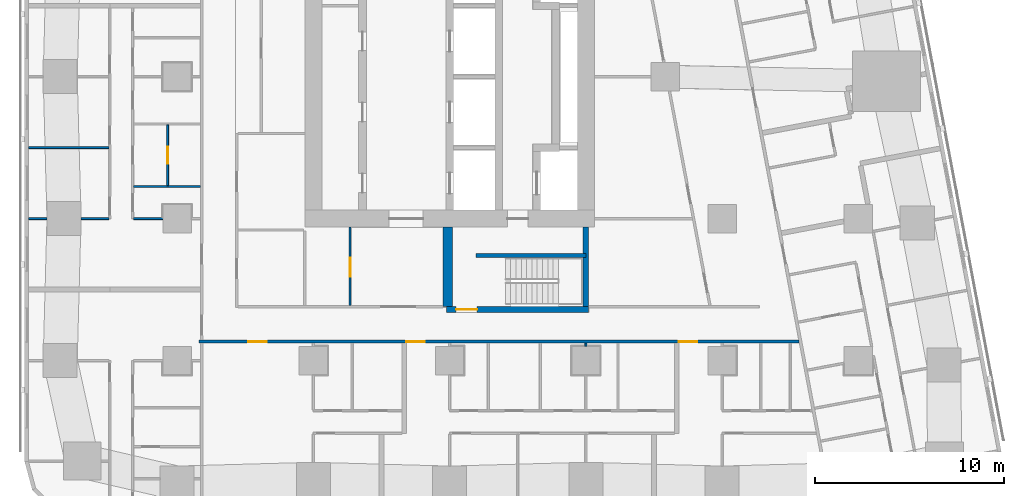
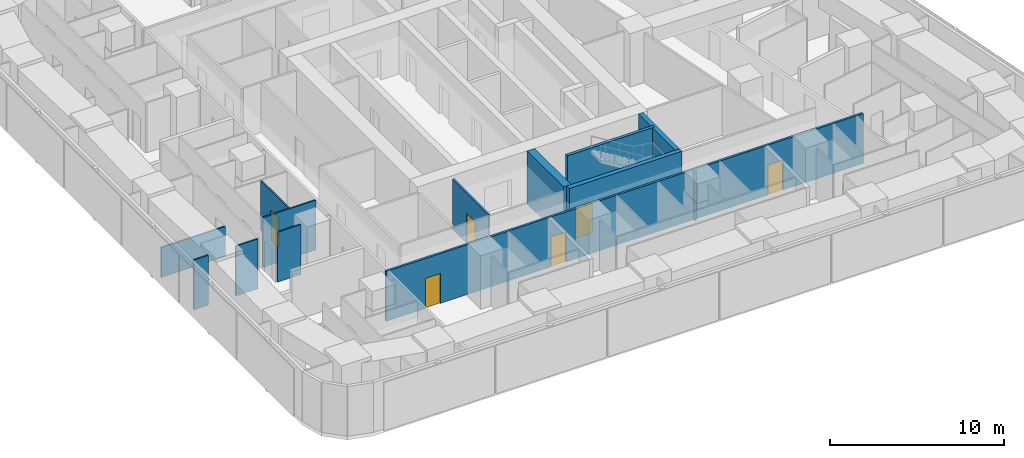
# One storey, part 4 of 15: 13 walls, 6 doors, 6 openings.
"""IFC4 building model written with IfcOpenShell, lengths in metres."""

from ifc_helpers import new_model, si_unit, direction, frame, frame_2d, origin, place, context, subcontext, project, spatial, rectangle, extrude, material, layer, layer_set, type_object, element, fill, save


model = new_model("IFC4")

# Units and contexts
model_context = context("Model", 3, precision=1e-05, world=origin(), true_north=direction((0.0, 1.0)))
body_context = subcontext(model_context, "Body", "Model", "MODEL_VIEW")
ifc_project = project(units=[si_unit("LENGTHUNIT", "METRE"), si_unit("AREAUNIT", "SQUARE_METRE"), si_unit("VOLUMEUNIT", "CUBIC_METRE"), si_unit("PLANEANGLEUNIT", "RADIAN"), si_unit("MASSUNIT", "GRAM", prefix="KILO")], contexts=[model_context])

# Site, building, storey
site_placement = place(None, origin())
site = spatial("IfcSite", under=ifc_project, at=site_placement, CompositionType="ELEMENT")
building_placement = place(site_placement, origin())
building = spatial("IfcBuilding", under=site, at=building_placement, Name="Sheger Commons Tower", CompositionType="ELEMENT")
storey_placement = place(building_placement, frame((0.0, 0.0, 158.300048828125)))
storey = spatial("IfcBuildingStorey", under=building, at=storey_placement, Name="L40", CompositionType="ELEMENT", Elevation=158.300048828125)

# Wall, openings, doors
ifc_material_1 = material(Name="Hollow concrete block masonry, skimmed both sides", Category="masonry")
ifc_layer_1 = layer(ifc_material_1, 0.14990234375)
ifc_layer_set_1 = layer_set([ifc_layer_1], Name="CORRIDOR WALL 150")
wall_type_1 = type_object("IfcWallType", Name="CORRIDOR WALL 150", PredefinedType="SOLIDWALL", material=ifc_layer_set_1)
wall_1_placement = place(storey_placement, frame((40.052978515625, 8.5, 0.0), z_axis=(0.0, 0.0, 1.0), x_axis=(-1.0, 0.0, 0.0)))
wall_1 = element("IfcWall", 1, at=wall_1_placement, inside=storey, type_object=wall_type_1, Name="Corridor wall L40", PredefinedType="SOLIDWALL", context=body_context, shape_type="SweptSolid", body=[
    extrude(rectangle(XDim=31.702880859375, YDim=0.14990234375, at=frame_2d((15.8515625, 0.0))), origin(), (0.0, 0.0, 1.0), 3.5),
])
opening_1_placement = place(wall_1_placement, frame((28.10302734375, 0.0, 0.0)))
opening_1 = element("IfcOpeningElement", 2, at=opening_1_placement, cuts=wall_1, Name="Opening D1", PredefinedType="OPENING", context=body_context, shape_type="SweptSolid", body=[
    extrude(rectangle(XDim=1.0, YDim=2.10009765625, at=frame_2d((0.5, 1.050048828125))), frame((0.0, 0.0849609375, 0.0), z_axis=(0.0, -1.0, 0.0), x_axis=(1.0, 0.0, 0.0)), (0.0, 0.0, 1.0), 0.169921875),
])
opening_2_placement = place(wall_1_placement, frame((19.75390625, 0.0, 0.0)))
opening_2 = element("IfcOpeningElement", 3, at=opening_2_placement, cuts=wall_1, Name="Opening D1", PredefinedType="OPENING", context=body_context, shape_type="SweptSolid", body=[
    extrude(rectangle(XDim=1.0, YDim=2.10009765625, at=frame_2d((0.5, 1.050048828125))), frame((0.0, 0.0849609375, 0.0), z_axis=(0.0, -1.0, 0.0), x_axis=(1.0, 0.0, 0.0)), (0.0, 0.0, 1.0), 0.169921875),
])
opening_3_placement = place(wall_1_placement, frame((5.35400390625, 0.0, 0.0)))
opening_3 = element("IfcOpeningElement", 4, at=opening_3_placement, cuts=wall_1, Name="Opening D1", PredefinedType="OPENING", context=body_context, shape_type="SweptSolid", body=[
    extrude(rectangle(XDim=1.0, YDim=2.10009765625, at=frame_2d((0.5, 1.050048828125))), frame((0.0, 0.0849609375, 0.0), z_axis=(0.0, -1.0, 0.0), x_axis=(1.0, 0.0, 0.0)), (0.0, 0.0, 1.0), 0.169921875),
])
ifc_material_2 = material(Name="Steel door set, fire rated", Category="steel")
door_type_1 = type_object("IfcDoorType", Name="FLAT ENTRANCE DOOR 1000x2100", OperationType="NOTDEFINED", PredefinedType="DOOR", material=ifc_material_2)
door_1_placement = place(opening_1_placement, origin())
door_1 = element("IfcDoor", 5, at=door_1_placement, inside=storey, type_object=door_type_1, Name="Flat entrance door", OperationType="SINGLE_SWING_RIGHT", OverallHeight=2.10009765625, OverallWidth=1.0, PredefinedType="DOOR", context=body_context, shape_type="SweptSolid", body=[
    extrude(rectangle(XDim=1.0, YDim=2.10009765625, at=frame_2d((0.5, 1.050048828125))), frame((0.0, 0.02490234375, 0.0), z_axis=(0.0, -1.0, 0.0), x_axis=(1.0, 0.0, 0.0)), (0.0, 0.0, 1.0), 0.050048828125),
])
fill(opening_1, door_1)
door_2_placement = place(opening_2_placement, origin())
door_2 = element("IfcDoor", 6, at=door_2_placement, inside=storey, type_object=door_type_1, Name="Flat entrance door", OperationType="SINGLE_SWING_RIGHT", OverallHeight=2.10009765625, OverallWidth=1.0, PredefinedType="DOOR", context=body_context, shape_type="SweptSolid", body=[
    extrude(rectangle(XDim=1.0, YDim=2.10009765625, at=frame_2d((0.5, 1.050048828125))), frame((0.0, 0.02490234375, 0.0), z_axis=(0.0, -1.0, 0.0), x_axis=(1.0, 0.0, 0.0)), (0.0, 0.0, 1.0), 0.050048828125),
])
fill(opening_2, door_2)
door_3_placement = place(opening_3_placement, origin())
door_3 = element("IfcDoor", 7, at=door_3_placement, inside=storey, type_object=door_type_1, Name="Flat entrance door", OperationType="SINGLE_SWING_RIGHT", OverallHeight=2.10009765625, OverallWidth=1.0, PredefinedType="DOOR", context=body_context, shape_type="SweptSolid", body=[
    extrude(rectangle(XDim=1.0, YDim=2.10009765625, at=frame_2d((0.5, 1.050048828125))), frame((0.0, 0.02490234375, 0.0), z_axis=(0.0, -1.0, 0.0), x_axis=(1.0, 0.0, 0.0)), (0.0, 0.0, 1.0), 0.050048828125),
])
fill(opening_3, door_3)

# Walls
ifc_material_3 = material(Name="Gypsum board on steel studs", Category="steel")
ifc_layer_2 = layer(ifc_material_3, 0.10009765625)
ifc_layer_set_2 = layer_set([ifc_layer_2], Name="PARTITION 100")
wall_type_2 = type_object("IfcWallType", Name="PARTITION 100", PredefinedType="PARTITIONING", material=ifc_layer_set_2)
wall_2_placement = place(storey_placement, frame((-0.64990234375, 15.0, 0.0), z_axis=(0.0, 0.0, 1.0), x_axis=(1.0, 0.0, 0.0)))
element("IfcWall", 8, at=wall_2_placement, inside=storey, type_object=wall_type_2, Name="Partition L40", PredefinedType="PARTITIONING", context=body_context, shape_type="SweptSolid", body=[
    extrude(rectangle(XDim=0.973876953125, YDim=0.10009765625, at=frame_2d((0.48681640625, 0.0))), origin(), (0.0, 0.0, 1.0), 3.5),
])
wall_3_placement = place(storey_placement, frame((2.1259765625, 15.0, 0.0), z_axis=(0.0, 0.0, 1.0), x_axis=(1.0, 0.0, 0.0)))
element("IfcWall", 9, at=wall_3_placement, inside=storey, type_object=wall_type_2, Name="Partition L40", PredefinedType="PARTITIONING", context=body_context, shape_type="SweptSolid", body=[
    extrude(rectangle(XDim=1.47412109375, YDim=0.10009765625, at=frame_2d((0.737060546875, 0.0))), origin(), (0.0, 0.0, 1.0), 3.5),
])
wall_4_placement = place(storey_placement, frame((-0.64990234375, 18.75, 0.0), z_axis=(0.0, 0.0, 1.0), x_axis=(1.0, 0.0, 0.0)))
element("IfcWall", 10, at=wall_4_placement, inside=storey, type_object=wall_type_2, Name="Partition L40", PredefinedType="PARTITIONING", context=body_context, shape_type="SweptSolid", body=[
    extrude(rectangle(XDim=4.25, YDim=0.10009765625, at=frame_2d((2.125, 0.0))), origin(), (0.0, 0.0, 1.0), 2.099853515625),
])
wall_5_placement = place(storey_placement, frame((4.89990234375, 15.0, 0.0), z_axis=(0.0, 0.0, 1.0), x_axis=(1.0, 0.0, 0.0)))
element("IfcWall", 11, at=wall_5_placement, inside=storey, type_object=wall_type_2, Name="Partition L40", PredefinedType="PARTITIONING", context=body_context, shape_type="SweptSolid", body=[
    extrude(rectangle(XDim=1.549072265625, YDim=0.10009765625, at=frame_2d((0.7744140625, 0.0))), origin(), (0.0, 0.0, 1.0), 3.5),
])
wall_6_placement = place(storey_placement, frame((4.89990234375, 16.699951171875, 0.0), z_axis=(0.0, 0.0, 1.0), x_axis=(1.0, 0.0, 0.0)))
element("IfcWall", 12, at=wall_6_placement, inside=storey, type_object=wall_type_2, Name="Partition L40", PredefinedType="PARTITIONING", context=body_context, shape_type="SweptSolid", body=[
    extrude(rectangle(XDim=3.525146484375, YDim=0.10009765625, at=frame_2d((1.7626953125, 0.0))), origin(), (0.0, 0.0, 1.0), 3.5),
])
wall_7_placement = place(storey_placement, frame((28.800048828125, 8.2509765625, 0.0), z_axis=(0.0, 0.0, 1.0), x_axis=(0.0, 1.0, 0.0)))
element("IfcWall", 13, at=wall_7_placement, inside=storey, type_object=wall_type_2, Name="Partition L40", PredefinedType="PARTITIONING", context=body_context, shape_type="SweptSolid", body=[
    extrude(rectangle(XDim=0.174072265625, YDim=0.10009765625, at=frame_2d((0.0869140625, 0.0))), origin(), (0.0, 0.0, 1.0), 3.5),
])

# Wall, opening, door
wall_8_placement = place(storey_placement, frame((6.699951171875, 16.75, 0.0), z_axis=(0.0, 0.0, 1.0), x_axis=(0.0, 1.0, 0.0)))
wall_8 = element("IfcWall", 14, at=wall_8_placement, inside=storey, type_object=wall_type_2, Name="Partition L40", PredefinedType="PARTITIONING", context=body_context, shape_type="SweptSolid", body=[
    extrude(rectangle(XDim=3.198974609375, YDim=0.10009765625, at=frame_2d((1.599609375, 0.0))), origin(), (0.0, 0.0, 1.0), 3.5),
])
opening_4_placement = place(wall_8_placement, frame((1.14892578125, 0.0, 0.0)))
opening_4 = element("IfcOpeningElement", 15, at=opening_4_placement, cuts=wall_8, Name="Opening D2", PredefinedType="OPENING", context=body_context, shape_type="SweptSolid", body=[
    extrude(rectangle(XDim=0.89990234375, YDim=2.10009765625, at=frame_2d((0.449951171875, 1.050048828125))), frame((0.0, 0.06005859375, 0.0), z_axis=(0.0, -1.0, 0.0), x_axis=(1.0, 0.0, 0.0)), (0.0, 0.0, 1.0), 0.1201171875),
])
ifc_material_4 = material(Name="Timber door set", Category="wood")
door_type_2 = type_object("IfcDoorType", Name="INTERNAL DOOR 900x2100", OperationType="NOTDEFINED", PredefinedType="DOOR", material=ifc_material_4)
door_4_placement = place(opening_4_placement, origin())
door_4 = element("IfcDoor", 16, at=door_4_placement, inside=storey, type_object=door_type_2, Name="Store door", OperationType="SINGLE_SWING_RIGHT", OverallHeight=2.10009765625, OverallWidth=0.89990234375, PredefinedType="DOOR", context=body_context, shape_type="SweptSolid", body=[
    extrude(rectangle(XDim=0.89990234375, YDim=2.10009765625, at=frame_2d((0.449951171875, 1.050048828125))), frame((0.0, 0.02490234375, 0.0), z_axis=(0.0, -1.0, 0.0), x_axis=(1.0, 0.0, 0.0)), (0.0, 0.0, 1.0), 0.050048828125),
])
fill(opening_4, door_4)

ifc_material_5 = material(Name="Gypsum board on steel studs, two layers each side, fire rated", Category="steel")
ifc_layer_3 = layer(ifc_material_5, 0.125)
ifc_layer_set_3 = layer_set([ifc_layer_3], Name="SERVICE WALL 125")
wall_type_3 = type_object("IfcWallType", Name="SERVICE WALL 125", PredefinedType="PARTITIONING", material=ifc_layer_set_3)
wall_9_placement = place(storey_placement, frame((16.340087890625, 10.4130859375, 0.0), z_axis=(0.0, 0.0, 1.0), x_axis=(0.0, 1.0, 0.0)))
wall_9 = element("IfcWall", 17, at=wall_9_placement, inside=storey, type_object=wall_type_3, Name="Service room wall L40", PredefinedType="PARTITIONING", context=body_context, shape_type="SweptSolid", body=[
    extrude(rectangle(XDim=4.136962890625, YDim=0.125, at=frame_2d((2.068359375, 0.0))), origin(), (0.0, 0.0, 1.0), 3.5),
])
opening_5_placement = place(wall_9_placement, frame((1.511962890625, 0.0, 0.0)))
opening_5 = element("IfcOpeningElement", 18, at=opening_5_placement, cuts=wall_9, Name="Opening D4", PredefinedType="OPENING", context=body_context, shape_type="SweptSolid", body=[
    extrude(rectangle(XDim=1.0, YDim=2.10009765625, at=frame_2d((0.5, 1.050048828125))), frame((0.0, 0.072509765625, 0.0), z_axis=(0.0, -1.0, 0.0), x_axis=(1.0, 0.0, 0.0)), (0.0, 0.0, 1.0), 0.14501953125),
])
ifc_material_6 = material(Name="Steel door set, fire rated", Category="steel")
door_type_3 = type_object("IfcDoorType", Name="SERVICE DOOR 1000x2100", OperationType="NOTDEFINED", PredefinedType="DOOR", material=ifc_material_6)
door_5_placement = place(opening_5_placement, origin())
door_5 = element("IfcDoor", 19, at=door_5_placement, inside=storey, type_object=door_type_3, Name="Electrical room door", OperationType="SINGLE_SWING_LEFT", OverallHeight=2.10009765625, OverallWidth=1.0, PredefinedType="DOOR", context=body_context, shape_type="SweptSolid", body=[
    extrude(rectangle(XDim=1.0, YDim=2.10009765625, at=frame_2d((0.5, 1.050048828125))), frame((0.0, 0.02490234375, 0.0), z_axis=(0.0, -1.0, 0.0), x_axis=(1.0, 0.0, 0.0)), (0.0, 0.0, 1.0), 0.050048828125),
])
fill(opening_5, door_5)

ifc_material_7 = material(Name="Concrete C50/60", Category="concrete")
ifc_layer_4 = layer(ifc_material_7, 0.300048828125)
ifc_layer_set_4 = layer_set([ifc_layer_4], Name="STAIR CORE WALL 300")
wall_type_4 = type_object("IfcWallType", Name="STAIR CORE WALL 300", PredefinedType="SHEAR", material=ifc_layer_set_4)
wall_10_placement = place(storey_placement, frame((21.449951171875, 10.199951171875, 0.0), z_axis=(0.0, 0.0, 1.0), x_axis=(1.0, 0.0, 0.0)))
wall_10 = element("IfcWall", 20, at=wall_10_placement, inside=storey, type_object=wall_type_4, Name="STW-L40-S1S", PredefinedType="SHEAR", context=body_context, shape_type="SweptSolid", body=[
    extrude(rectangle(XDim=7.5, YDim=0.300048828125, at=frame_2d((3.75, 0.0))), origin(), (0.0, 0.0, 1.0), 3.75),
])
opening_6_placement = place(wall_10_placement, frame((0.5, 0.0, 0.0)))
opening_6 = element("IfcOpeningElement", 21, at=opening_6_placement, cuts=wall_10, Name="Opening D5", PredefinedType="OPENING", context=body_context, shape_type="SweptSolid", body=[
    extrude(rectangle(XDim=1.10009765625, YDim=2.10009765625, at=frame_2d((0.550048828125, 1.050048828125))), frame((0.0, 0.159912109375, 0.0), z_axis=(0.0, -1.0, 0.0), x_axis=(1.0, 0.0, 0.0)), (0.0, 0.0, 1.0), 0.320068359375),
])
ifc_material_8 = material(Name="Steel door set, fire rated", Category="steel")
door_type_4 = type_object("IfcDoorType", Name="STAIR DOOR 1100x2100", OperationType="NOTDEFINED", PredefinedType="DOOR", material=ifc_material_8)
door_6_placement = place(opening_6_placement, origin())
door_6 = element("IfcDoor", 22, at=door_6_placement, inside=storey, type_object=door_type_4, Name="Stair S1 door", OperationType="SINGLE_SWING_LEFT", OverallHeight=2.10009765625, OverallWidth=1.10009765625, PredefinedType="DOOR", context=body_context, shape_type="SweptSolid", body=[
    extrude(rectangle(XDim=1.10009765625, YDim=2.10009765625, at=frame_2d((0.550048828125, 1.050048828125))), frame((0.0, 0.02490234375, 0.0), z_axis=(0.0, -1.0, 0.0), x_axis=(1.0, 0.0, 0.0)), (0.0, 0.0, 1.0), 0.050048828125),
])
fill(opening_6, door_6)

# Walls
wall_11_placement = place(storey_placement, frame((28.800048828125, 10.35009765625, 0.0), z_axis=(0.0, 0.0, 1.0), x_axis=(0.0, 1.0, 0.0)))
element("IfcWall", 23, at=wall_11_placement, inside=storey, type_object=wall_type_4, Name="STW-L40-S1E", PredefinedType="SHEAR", context=body_context, shape_type="SweptSolid", body=[
    extrude(rectangle(XDim=4.199951171875, YDim=0.300048828125, at=frame_2d((2.10009765625, 0.0))), origin(), (0.0, 0.0, 1.0), 3.75),
])
ifc_material_9 = material(Name="Concrete C50/60", Category="concrete")
ifc_layer_5 = layer(ifc_material_9, 0.5)
ifc_layer_set_5 = layer_set([ifc_layer_5], Name="STAIR CORE WALL 500")
wall_type_5 = type_object("IfcWallType", Name="STAIR CORE WALL 500", PredefinedType="SHEAR", material=ifc_layer_set_5)
wall_12_placement = place(storey_placement, frame((21.5, 10.35009765625, 0.0), z_axis=(0.0, 0.0, 1.0), x_axis=(0.0, 1.0, 0.0)))
element("IfcWall", 24, at=wall_12_placement, inside=storey, type_object=wall_type_5, Name="STW-L40-S1W", PredefinedType="SHEAR", context=body_context, shape_type="SweptSolid", body=[
    extrude(rectangle(XDim=4.199951171875, YDim=0.5, at=frame_2d((2.10009765625, 0.0))), origin(), (0.0, 0.0, 1.0), 3.75),
])
ifc_material_10 = material(Name="Concrete C50/60", Category="concrete")
ifc_layer_6 = layer(ifc_material_10, 0.199951171875)
ifc_layer_set_6 = layer_set([ifc_layer_6], Name="STAIR SPINE WALL 200")
wall_type_6 = type_object("IfcWallType", Name="STAIR SPINE WALL 200", PredefinedType="SHEAR", material=ifc_layer_set_6)
wall_13_placement = place(storey_placement, frame((23.0, 13.050048828125, 0.0), z_axis=(0.0, 0.0, 1.0), x_axis=(1.0, 0.0, 0.0)))
element("IfcWall", 25, at=wall_13_placement, inside=storey, type_object=wall_type_6, Name="Stair spine wall L40", PredefinedType="SHEAR", context=body_context, shape_type="SweptSolid", body=[
    extrude(rectangle(XDim=5.800048828125, YDim=0.199951171875, at=frame_2d((2.89990234375, 0.0))), origin(), (0.0, 0.0, 1.0), 3.75),
])

save(model, "model.ifc")
